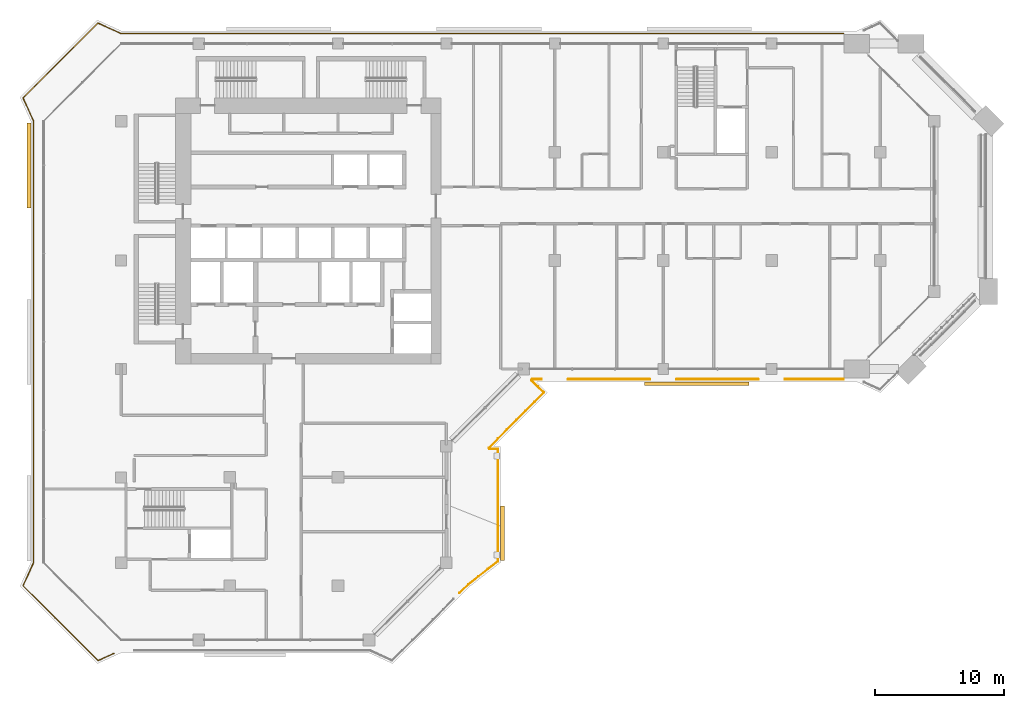
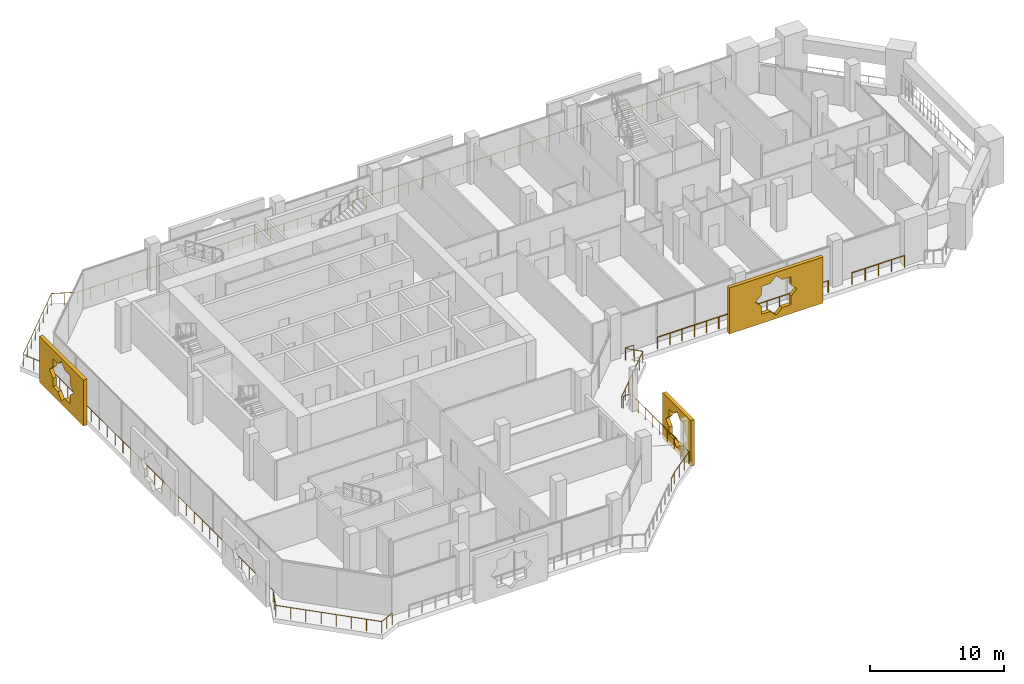
# One storey, part 18 of 21: 5 railings, 3 coverings.
"""IFC4 building model written with IfcOpenShell, lengths in metres."""

from ifc_helpers import new_model, si_unit, direction, frame, origin, origin_2d, place, context, subcontext, project, spatial, polyline, circle, outline, extrude, material, material_profile, profile_set, type_object, element, save


model = new_model("IFC4")

# Units and contexts
model_context = context("Model", 3, precision=1e-05, world=origin(), true_north=direction((0.0, 1.0)))
body_context = subcontext(model_context, "Body", "Model", "MODEL_VIEW")
ifc_project = project(units=[si_unit("LENGTHUNIT", "METRE"), si_unit("AREAUNIT", "SQUARE_METRE"), si_unit("VOLUMEUNIT", "CUBIC_METRE"), si_unit("PLANEANGLEUNIT", "RADIAN"), si_unit("MASSUNIT", "GRAM", prefix="KILO")], contexts=[model_context])

# Site, building, storey
site_placement = place(None, origin())
site = spatial("IfcSite", under=ifc_project, at=site_placement, CompositionType="ELEMENT")
building_placement = place(site_placement, origin())
building = spatial("IfcBuilding", under=site, at=building_placement, Name="Kawkab Arch Medical Tower", CompositionType="ELEMENT")
storey_placement = place(building_placement, frame((0.0, 0.0, 230.60009765625)))
storey = spatial("IfcBuildingStorey", under=building, at=storey_placement, Name="L53", CompositionType="ELEMENT", Elevation=230.60009765625)

# Railings
ifc_material_1 = material(Name="Bronze anodised aluminium guard", Category="aluminium")
railing_type = type_object("IfcRailingType", Name="Loggia and terrace guard 1100", PredefinedType="GUARDRAIL", material=ifc_material_1)
railing_1_placement = place(storey_placement, frame((55.969970703125, -26.0, 0.0)))
element("IfcRailing", 1, at=railing_1_placement, inside=storey, type_object=railing_type, Name="Guard L53.LOG-01.1.2", PredefinedType="GUARDRAIL", context=body_context, shape_type="SweptSolid", body=[
    extrude(circle(Radius=0.02392578125, at=origin_2d()), frame((0.0, 0.0, 1.076171875), z_axis=(-1.0, 0.0, 0.0), x_axis=(0.0, -1.0, 0.0)), (0.0, 0.0, 1.0), 4.5400390625),
    extrude(circle(Radius=0.02099609375, at=origin_2d()), origin(), (0.0, 0.0, 1.0), 1.052001953125),
    extrude(circle(Radius=0.02099609375, at=origin_2d()), frame((-1.135009765625, 0.0, 0.0)), (0.0, 0.0, 1.0), 1.052001953125),
    extrude(circle(Radius=0.02099609375, at=origin_2d()), frame((-2.27001953125, 0.0, 0.0)), (0.0, 0.0, 1.0), 1.052001953125),
    extrude(circle(Radius=0.02099609375, at=origin_2d()), frame((-3.405029296875, 0.0, 0.0)), (0.0, 0.0, 1.0), 1.052001953125),
    extrude(circle(Radius=0.02099609375, at=origin_2d()), frame((-4.5400390625, 0.0, 0.0)), (0.0, 0.0, 1.0), 1.052001953125),
])
for number, where, name in (
    (2, (49.3701171875, -26.0, 0.0), "Guard L53.LOG-01.1.3"),
    (3, (40.969970703125, -26.0, 0.0), "Guard L53.LOG-01.1.4"),
):
    element("IfcRailing", number, at=place(storey_placement, frame(where)), inside=storey, type_object=railing_type, Name=name, PredefinedType="GUARDRAIL", context=body_context, shape_type="SweptSolid", body=[
        extrude(circle(Radius=0.02392578125, at=origin_2d()), frame((0.0, 0.0, 1.076171875), z_axis=(-1.0, 0.0, 0.0), x_axis=(0.0, -1.0, 0.0)), (0.0, 0.0, 1.0), 6.340087890625),
        extrude(circle(Radius=0.02099609375, at=origin_2d()), origin(), (0.0, 0.0, 1.0), 1.052001953125),
        extrude(circle(Radius=0.02099609375, at=origin_2d()), frame((-1.056640625, 0.0, 0.0)), (0.0, 0.0, 1.0), 1.052001953125),
        extrude(circle(Radius=0.02099609375, at=origin_2d()), frame((-2.11328125, 0.0, 0.0)), (0.0, 0.0, 1.0), 1.052001953125),
        extrude(circle(Radius=0.02099609375, at=origin_2d()), frame((-3.169921875, 0.0, 0.0)), (0.0, 0.0, 1.0), 1.052001953125),
        extrude(circle(Radius=0.02099609375, at=origin_2d()), frame((-4.226806640625, 0.0, 0.0)), (0.0, 0.0, 1.0), 1.052001953125),
        extrude(circle(Radius=0.02099609375, at=origin_2d()), frame((-5.283447265625, 0.0, 0.0)), (0.0, 0.0, 1.0), 1.052001953125),
        extrude(circle(Radius=0.02099609375, at=origin_2d()), frame((-6.340087890625, 0.0, 0.0)), (0.0, 0.0, 1.0), 1.052001953125),
    ])
railing_2_placement = place(storey_placement, frame((32.570068359375, -26.0, 0.0)))
element("IfcRailing", 4, at=railing_2_placement, inside=storey, type_object=railing_type, Name="Guard L53.LOG-01.1.5", PredefinedType="GUARDRAIL", context=body_context, shape_type="SweptSolid", body=[
    extrude(circle(Radius=0.02392578125, at=origin_2d()), frame((0.0, 0.0, 1.076171875), z_axis=(-1.0, 0.0, 0.0), x_axis=(0.0, -1.0, 0.0)), (0.0, 0.0, 1.0), 0.719970703125),
    extrude(circle(Radius=0.02392578125, at=origin_2d()), frame((-0.719970703125, 0.0, 1.076171875), z_axis=(-0.383763674343, -0.923431341387, 0.0), x_axis=(0.923431341387, -0.383763674343, 0.0)), (0.0, 0.0, 1.0), 0.101806640625),
    extrude(circle(Radius=0.02392578125, at=origin_2d()), frame((-0.759033203125, -0.093994140625, 1.076171875), z_axis=(0.707015335112, -0.707198215437, 0.0), x_axis=(0.707198215437, 0.707015335112, 0.0)), (0.0, 0.0, 1.0), 1.3349609375),
    extrude(circle(Radius=0.02392578125, at=origin_2d()), frame((0.184814453125, -1.0380859375, 1.076171875), z_axis=(-0.707025867263, -0.707187685852, 0.0), x_axis=(0.707187685852, -0.707025867263, 0.0)), (0.0, 0.0, 1.0), 6.034912109375),
    extrude(circle(Radius=0.02392578125, at=origin_2d()), frame((-4.08203125, -5.305908203125, 1.076171875), z_axis=(0.383763674343, -0.923431341387, 0.0), x_axis=(0.923431341387, 0.383763674343, 0.0)), (0.0, 0.0, 1.0), 0.101806640625),
    extrude(circle(Radius=0.02392578125, at=origin_2d()), frame((-4.04296875, -5.39990234375, 1.076171875), z_axis=(1.0, 0.0, 0.0), x_axis=(0.0, 1.0, 0.0)), (0.0, 0.0, 1.0), 0.6728515625),
    extrude(circle(Radius=0.02392578125, at=origin_2d()), frame((-3.3701171875, -5.39990234375, 1.076171875), z_axis=(0.0, -1.0, 0.0), x_axis=(1.0, 0.0, 0.0)), (0.0, 0.0, 1.0), 8.7021484375),
    extrude(circle(Radius=0.02392578125, at=origin_2d()), frame((-3.3701171875, -14.10205078125, 1.076171875), z_axis=(-0.789193964876, -0.614144026922, 0.0), x_axis=(0.614144026922, -0.789193964876, 0.0)), (0.0, 0.0, 1.0), 2.907958984375),
    extrude(circle(Radius=0.02392578125, at=origin_2d()), frame((-5.6650390625, -15.887939453125, 1.076171875), z_axis=(-0.707106781187, -0.707106781187, 0.0), x_axis=(0.707106781187, -0.707106781187, 0.0)), (0.0, 0.0, 1.0), 0.95458984375),
    extrude(circle(Radius=0.02099609375, at=origin_2d()), origin(), (0.0, 0.0, 1.0), 1.052001953125),
    extrude(circle(Radius=0.02099609375, at=origin_2d()), frame((-0.719970703125, 0.0, 0.0)), (0.0, 0.0, 1.0), 1.052001953125),
    extrude(circle(Radius=0.02099609375, at=origin_2d()), frame((-0.759033203125, -0.093994140625, 0.0)), (0.0, 0.0, 1.0), 1.052001953125),
    extrude(circle(Radius=0.02099609375, at=origin_2d()), frame((-0.287109375, -0.56591796875, 0.0)), (0.0, 0.0, 1.0), 1.052001953125),
    extrude(circle(Radius=0.02099609375, at=origin_2d()), frame((0.184814453125, -1.0380859375, 0.0)), (0.0, 0.0, 1.0), 1.052001953125),
    extrude(circle(Radius=0.02099609375, at=origin_2d()), frame((-0.5263671875, -1.74951171875, 0.0)), (0.0, 0.0, 1.0), 1.052001953125),
    extrude(circle(Radius=0.02099609375, at=origin_2d()), frame((-1.237548828125, -2.460693359375, 0.0)), (0.0, 0.0, 1.0), 1.052001953125),
    extrude(circle(Radius=0.02099609375, at=origin_2d()), frame((-1.94873046875, -3.171875, 0.0)), (0.0, 0.0, 1.0), 1.052001953125),
    extrude(circle(Radius=0.02099609375, at=origin_2d()), frame((-2.65966796875, -3.88330078125, 0.0)), (0.0, 0.0, 1.0), 1.052001953125),
    extrude(circle(Radius=0.02099609375, at=origin_2d()), frame((-3.370849609375, -4.5947265625, 0.0)), (0.0, 0.0, 1.0), 1.052001953125),
    extrude(circle(Radius=0.02099609375, at=origin_2d()), frame((-4.08203125, -5.305908203125, 0.0)), (0.0, 0.0, 1.0), 1.052001953125),
    extrude(circle(Radius=0.02099609375, at=origin_2d()), frame((-4.04296875, -5.39990234375, 0.0)), (0.0, 0.0, 1.0), 1.052001953125),
    extrude(circle(Radius=0.02099609375, at=origin_2d()), frame((-3.3701171875, -5.39990234375, 0.0)), (0.0, 0.0, 1.0), 1.052001953125),
    extrude(circle(Radius=0.02099609375, at=origin_2d()), frame((-3.3701171875, -6.48779296875, 0.0)), (0.0, 0.0, 1.0), 1.052001953125),
    extrude(circle(Radius=0.02099609375, at=origin_2d()), frame((-3.3701171875, -7.575439453125, 0.0)), (0.0, 0.0, 1.0), 1.052001953125),
    extrude(circle(Radius=0.02099609375, at=origin_2d()), frame((-3.3701171875, -8.6630859375, 0.0)), (0.0, 0.0, 1.0), 1.052001953125),
    extrude(circle(Radius=0.02099609375, at=origin_2d()), frame((-3.3701171875, -9.7509765625, 0.0)), (0.0, 0.0, 1.0), 1.052001953125),
    extrude(circle(Radius=0.02099609375, at=origin_2d()), frame((-3.3701171875, -10.8388671875, 0.0)), (0.0, 0.0, 1.0), 1.052001953125),
    extrude(circle(Radius=0.02099609375, at=origin_2d()), frame((-3.3701171875, -11.926513671875, 0.0)), (0.0, 0.0, 1.0), 1.052001953125),
    extrude(circle(Radius=0.02099609375, at=origin_2d()), frame((-3.3701171875, -13.01416015625, 0.0)), (0.0, 0.0, 1.0), 1.052001953125),
    extrude(circle(Radius=0.02099609375, at=origin_2d()), frame((-3.3701171875, -14.10205078125, 0.0)), (0.0, 0.0, 1.0), 1.052001953125),
    extrude(circle(Radius=0.02099609375, at=origin_2d()), frame((-4.135009765625, -14.697265625, 0.0)), (0.0, 0.0, 1.0), 1.052001953125),
    extrude(circle(Radius=0.02099609375, at=origin_2d()), frame((-4.900146484375, -15.292724609375, 0.0)), (0.0, 0.0, 1.0), 1.052001953125),
    extrude(circle(Radius=0.02099609375, at=origin_2d()), frame((-5.6650390625, -15.887939453125, 0.0)), (0.0, 0.0, 1.0), 1.052001953125),
    extrude(circle(Radius=0.02099609375, at=origin_2d()), frame((-6.340087890625, -16.56298828125, 0.0)), (0.0, 0.0, 1.0), 1.052001953125),
])
railing_3_placement = place(storey_placement, frame((-0.548095703125, -47.22998046875, 0.0)))
element("IfcRailing", 5, at=railing_3_placement, inside=storey, type_object=railing_type, Name="Guard L53.LOG-01.1.7", PredefinedType="GUARDRAIL", context=body_context, shape_type="SweptSolid", body=[
    extrude(circle(Radius=0.02392578125, at=origin_2d()), frame((0.0, 0.0, 1.076171875), z_axis=(-0.909987760209, -0.4146351122, 0.0), x_axis=(0.4146351122, -0.909987760209, 0.0)), (0.0, 0.0, 1.0), 1.3701171875),
    extrude(circle(Radius=0.02392578125, at=origin_2d()), frame((-1.246826171875, -0.568115234375, 1.076171875), z_axis=(-0.707106781187, 0.707106781187, 0.0), x_axis=(-0.707106781187, -0.707106781187, 0.0)), (0.0, 0.0, 1.0), 8.20654296875),
    extrude(circle(Radius=0.02392578125, at=origin_2d()), frame((-7.0498046875, 5.23486328125, 1.076171875), z_axis=(0.414404752076, 0.910092688388, 0.0), x_axis=(-0.910092688388, 0.414404752076, 0.0)), (0.0, 0.0, 1.0), 1.92529296875),
    extrude(circle(Radius=0.02392578125, at=origin_2d()), frame((-6.251953125, 6.987060546875, 1.076171875), z_axis=(0.0, 1.0, 0.0), x_axis=(-1.0, 0.0, 0.0)), (0.0, 0.0, 1.0), 34.285888671875),
    extrude(circle(Radius=0.02392578125, at=origin_2d()), frame((-6.251953125, 41.27294921875, 1.076171875), z_axis=(-0.414452581809, 0.910070907914, 0.0), x_axis=(-0.910070907914, -0.414452581809, 0.0)), (0.0, 0.0, 1.0), 1.925048828125),
    extrude(circle(Radius=0.02392578125, at=origin_2d()), frame((-7.0498046875, 43.02490234375, 1.076171875), z_axis=(0.707106781187, 0.707106781187, 0.0), x_axis=(-0.707106781187, 0.707106781187, 0.0)), (0.0, 0.0, 1.0), 8.20654296875),
    extrude(circle(Radius=0.02392578125, at=origin_2d()), frame((-1.246826171875, 48.827880859375, 1.076171875), z_axis=(0.910070907914, -0.414452581809, 0.0), x_axis=(0.414452581809, 0.910070907914, 0.0)), (0.0, 0.0, 1.0), 1.925048828125),
    extrude(circle(Radius=0.02392578125, at=origin_2d()), frame((0.505126953125, 48.030029296875, 1.076171875), z_axis=(1.0, 0.0, 0.0), x_axis=(0.0, 1.0, 0.0)), (0.0, 0.0, 1.0), 56.012939453125),
    extrude(circle(Radius=0.02099609375, at=origin_2d()), origin(), (0.0, 0.0, 1.0), 1.052001953125),
    extrude(circle(Radius=0.02099609375, at=origin_2d()), frame((-0.62353515625, -0.2841796875, 0.0)), (0.0, 0.0, 1.0), 1.052001953125),
    extrude(circle(Radius=0.02099609375, at=origin_2d()), frame((-1.246826171875, -0.568115234375, 0.0)), (0.0, 0.0, 1.0), 1.052001953125),
    extrude(circle(Radius=0.02099609375, at=origin_2d()), frame((-2.075927734375, 0.260986328125, 0.0)), (0.0, 0.0, 1.0), 1.052001953125),
    extrude(circle(Radius=0.02099609375, at=origin_2d()), frame((-2.90478515625, 1.08984375, 0.0)), (0.0, 0.0, 1.0), 1.052001953125),
    extrude(circle(Radius=0.02099609375, at=origin_2d()), frame((-3.73388671875, 1.9189453125, 0.0)), (0.0, 0.0, 1.0), 1.052001953125),
    extrude(circle(Radius=0.02099609375, at=origin_2d()), frame((-4.562744140625, 2.747802734375, 0.0)), (0.0, 0.0, 1.0), 1.052001953125),
    extrude(circle(Radius=0.02099609375, at=origin_2d()), frame((-5.391845703125, 3.576904296875, 0.0)), (0.0, 0.0, 1.0), 1.052001953125),
    extrude(circle(Radius=0.02099609375, at=origin_2d()), frame((-6.220703125, 4.40576171875, 0.0)), (0.0, 0.0, 1.0), 1.052001953125),
    extrude(circle(Radius=0.02099609375, at=origin_2d()), frame((-7.0498046875, 5.23486328125, 0.0)), (0.0, 0.0, 1.0), 1.052001953125),
    extrude(circle(Radius=0.02099609375, at=origin_2d()), frame((-6.65087890625, 6.11083984375, 0.0)), (0.0, 0.0, 1.0), 1.052001953125),
    extrude(circle(Radius=0.02099609375, at=origin_2d()), frame((-6.251953125, 6.987060546875, 0.0)), (0.0, 0.0, 1.0), 1.052001953125),
    extrude(circle(Radius=0.02099609375, at=origin_2d()), frame((-6.251953125, 8.16943359375, 0.0)), (0.0, 0.0, 1.0), 1.052001953125),
    extrude(circle(Radius=0.02099609375, at=origin_2d()), frame((-6.251953125, 9.3515625, 0.0)), (0.0, 0.0, 1.0), 1.052001953125),
    extrude(circle(Radius=0.02099609375, at=origin_2d()), frame((-6.251953125, 10.533935546875, 0.0)), (0.0, 0.0, 1.0), 1.052001953125),
    extrude(circle(Radius=0.02099609375, at=origin_2d()), frame((-6.251953125, 11.716064453125, 0.0)), (0.0, 0.0, 1.0), 1.052001953125),
    extrude(circle(Radius=0.02099609375, at=origin_2d()), frame((-6.251953125, 12.8984375, 0.0)), (0.0, 0.0, 1.0), 1.052001953125),
    extrude(circle(Radius=0.02099609375, at=origin_2d()), frame((-6.251953125, 14.080810546875, 0.0)), (0.0, 0.0, 1.0), 1.052001953125),
    extrude(circle(Radius=0.02099609375, at=origin_2d()), frame((-6.251953125, 15.262939453125, 0.0)), (0.0, 0.0, 1.0), 1.052001953125),
    extrude(circle(Radius=0.02099609375, at=origin_2d()), frame((-6.251953125, 16.4453125, 0.0)), (0.0, 0.0, 1.0), 1.052001953125),
    extrude(circle(Radius=0.02099609375, at=origin_2d()), frame((-6.251953125, 17.62744140625, 0.0)), (0.0, 0.0, 1.0), 1.052001953125),
    extrude(circle(Radius=0.02099609375, at=origin_2d()), frame((-6.251953125, 18.809814453125, 0.0)), (0.0, 0.0, 1.0), 1.052001953125),
    extrude(circle(Radius=0.02099609375, at=origin_2d()), frame((-6.251953125, 19.991943359375, 0.0)), (0.0, 0.0, 1.0), 1.052001953125),
    extrude(circle(Radius=0.02099609375, at=origin_2d()), frame((-6.251953125, 21.17431640625, 0.0)), (0.0, 0.0, 1.0), 1.052001953125),
    extrude(circle(Radius=0.02099609375, at=origin_2d()), frame((-6.251953125, 22.356689453125, 0.0)), (0.0, 0.0, 1.0), 1.052001953125),
    extrude(circle(Radius=0.02099609375, at=origin_2d()), frame((-6.251953125, 23.538818359375, 0.0)), (0.0, 0.0, 1.0), 1.052001953125),
    extrude(circle(Radius=0.02099609375, at=origin_2d()), frame((-6.251953125, 24.72119140625, 0.0)), (0.0, 0.0, 1.0), 1.052001953125),
    extrude(circle(Radius=0.02099609375, at=origin_2d()), frame((-6.251953125, 25.9033203125, 0.0)), (0.0, 0.0, 1.0), 1.052001953125),
    extrude(circle(Radius=0.02099609375, at=origin_2d()), frame((-6.251953125, 27.085693359375, 0.0)), (0.0, 0.0, 1.0), 1.052001953125),
    extrude(circle(Radius=0.02099609375, at=origin_2d()), frame((-6.251953125, 28.26806640625, 0.0)), (0.0, 0.0, 1.0), 1.052001953125),
    extrude(circle(Radius=0.02099609375, at=origin_2d()), frame((-6.251953125, 29.4501953125, 0.0)), (0.0, 0.0, 1.0), 1.052001953125),
    extrude(circle(Radius=0.02099609375, at=origin_2d()), frame((-6.251953125, 30.632568359375, 0.0)), (0.0, 0.0, 1.0), 1.052001953125),
    extrude(circle(Radius=0.02099609375, at=origin_2d()), frame((-6.251953125, 31.814697265625, 0.0)), (0.0, 0.0, 1.0), 1.052001953125),
    extrude(circle(Radius=0.02099609375, at=origin_2d()), frame((-6.251953125, 32.9970703125, 0.0)), (0.0, 0.0, 1.0), 1.052001953125),
    extrude(circle(Radius=0.02099609375, at=origin_2d()), frame((-6.251953125, 34.17919921875, 0.0)), (0.0, 0.0, 1.0), 1.052001953125),
    extrude(circle(Radius=0.02099609375, at=origin_2d()), frame((-6.251953125, 35.361572265625, 0.0)), (0.0, 0.0, 1.0), 1.052001953125),
    extrude(circle(Radius=0.02099609375, at=origin_2d()), frame((-6.251953125, 36.5439453125, 0.0)), (0.0, 0.0, 1.0), 1.052001953125),
    extrude(circle(Radius=0.02099609375, at=origin_2d()), frame((-6.251953125, 37.72607421875, 0.0)), (0.0, 0.0, 1.0), 1.052001953125),
    extrude(circle(Radius=0.02099609375, at=origin_2d()), frame((-6.251953125, 38.908447265625, 0.0)), (0.0, 0.0, 1.0), 1.052001953125),
    extrude(circle(Radius=0.02099609375, at=origin_2d()), frame((-6.251953125, 40.090576171875, 0.0)), (0.0, 0.0, 1.0), 1.052001953125),
    extrude(circle(Radius=0.02099609375, at=origin_2d()), frame((-6.251953125, 41.27294921875, 0.0)), (0.0, 0.0, 1.0), 1.052001953125),
    extrude(circle(Radius=0.02099609375, at=origin_2d()), frame((-6.65087890625, 42.14892578125, 0.0)), (0.0, 0.0, 1.0), 1.052001953125),
    extrude(circle(Radius=0.02099609375, at=origin_2d()), frame((-7.0498046875, 43.02490234375, 0.0)), (0.0, 0.0, 1.0), 1.052001953125),
    extrude(circle(Radius=0.02099609375, at=origin_2d()), frame((-6.220703125, 43.85400390625, 0.0)), (0.0, 0.0, 1.0), 1.052001953125),
    extrude(circle(Radius=0.02099609375, at=origin_2d()), frame((-5.391845703125, 44.682861328125, 0.0)), (0.0, 0.0, 1.0), 1.052001953125),
    extrude(circle(Radius=0.02099609375, at=origin_2d()), frame((-4.562744140625, 45.511962890625, 0.0)), (0.0, 0.0, 1.0), 1.052001953125),
    extrude(circle(Radius=0.02099609375, at=origin_2d()), frame((-3.73388671875, 46.3408203125, 0.0)), (0.0, 0.0, 1.0), 1.052001953125),
    extrude(circle(Radius=0.02099609375, at=origin_2d()), frame((-2.90478515625, 47.169921875, 0.0)), (0.0, 0.0, 1.0), 1.052001953125),
    extrude(circle(Radius=0.02099609375, at=origin_2d()), frame((-2.075927734375, 47.998779296875, 0.0)), (0.0, 0.0, 1.0), 1.052001953125),
    extrude(circle(Radius=0.02099609375, at=origin_2d()), frame((-1.246826171875, 48.827880859375, 0.0)), (0.0, 0.0, 1.0), 1.052001953125),
    extrude(circle(Radius=0.02099609375, at=origin_2d()), frame((-0.370849609375, 48.428955078125, 0.0)), (0.0, 0.0, 1.0), 1.052001953125),
    extrude(circle(Radius=0.02099609375, at=origin_2d()), frame((0.505126953125, 48.030029296875, 0.0)), (0.0, 0.0, 1.0), 1.052001953125),
    extrude(circle(Radius=0.02099609375, at=origin_2d()), frame((1.69677734375, 48.030029296875, 0.0)), (0.0, 0.0, 1.0), 1.052001953125),
    extrude(circle(Radius=0.02099609375, at=origin_2d()), frame((2.888671875, 48.030029296875, 0.0)), (0.0, 0.0, 1.0), 1.052001953125),
    extrude(circle(Radius=0.02099609375, at=origin_2d()), frame((4.080322265625, 48.030029296875, 0.0)), (0.0, 0.0, 1.0), 1.052001953125),
    extrude(circle(Radius=0.02099609375, at=origin_2d()), frame((5.272216796875, 48.030029296875, 0.0)), (0.0, 0.0, 1.0), 1.052001953125),
    extrude(circle(Radius=0.02099609375, at=origin_2d()), frame((6.4638671875, 48.030029296875, 0.0)), (0.0, 0.0, 1.0), 1.052001953125),
    extrude(circle(Radius=0.02099609375, at=origin_2d()), frame((7.65576171875, 48.030029296875, 0.0)), (0.0, 0.0, 1.0), 1.052001953125),
    extrude(circle(Radius=0.02099609375, at=origin_2d()), frame((8.847412109375, 48.030029296875, 0.0)), (0.0, 0.0, 1.0), 1.052001953125),
    extrude(circle(Radius=0.02099609375, at=origin_2d()), frame((10.039306640625, 48.030029296875, 0.0)), (0.0, 0.0, 1.0), 1.052001953125),
    extrude(circle(Radius=0.02099609375, at=origin_2d()), frame((11.23095703125, 48.030029296875, 0.0)), (0.0, 0.0, 1.0), 1.052001953125),
    extrude(circle(Radius=0.02099609375, at=origin_2d()), frame((12.4228515625, 48.030029296875, 0.0)), (0.0, 0.0, 1.0), 1.052001953125),
    extrude(circle(Radius=0.02099609375, at=origin_2d()), frame((13.614501953125, 48.030029296875, 0.0)), (0.0, 0.0, 1.0), 1.052001953125),
    extrude(circle(Radius=0.02099609375, at=origin_2d()), frame((14.806396484375, 48.030029296875, 0.0)), (0.0, 0.0, 1.0), 1.052001953125),
    extrude(circle(Radius=0.02099609375, at=origin_2d()), frame((15.998046875, 48.030029296875, 0.0)), (0.0, 0.0, 1.0), 1.052001953125),
    extrude(circle(Radius=0.02099609375, at=origin_2d()), frame((17.18994140625, 48.030029296875, 0.0)), (0.0, 0.0, 1.0), 1.052001953125),
    extrude(circle(Radius=0.02099609375, at=origin_2d()), frame((18.381591796875, 48.030029296875, 0.0)), (0.0, 0.0, 1.0), 1.052001953125),
    extrude(circle(Radius=0.02099609375, at=origin_2d()), frame((19.5732421875, 48.030029296875, 0.0)), (0.0, 0.0, 1.0), 1.052001953125),
    extrude(circle(Radius=0.02099609375, at=origin_2d()), frame((20.76513671875, 48.030029296875, 0.0)), (0.0, 0.0, 1.0), 1.052001953125),
    extrude(circle(Radius=0.02099609375, at=origin_2d()), frame((21.956787109375, 48.030029296875, 0.0)), (0.0, 0.0, 1.0), 1.052001953125),
    extrude(circle(Radius=0.02099609375, at=origin_2d()), frame((23.148681640625, 48.030029296875, 0.0)), (0.0, 0.0, 1.0), 1.052001953125),
    extrude(circle(Radius=0.02099609375, at=origin_2d()), frame((24.34033203125, 48.030029296875, 0.0)), (0.0, 0.0, 1.0), 1.052001953125),
    extrude(circle(Radius=0.02099609375, at=origin_2d()), frame((25.5322265625, 48.030029296875, 0.0)), (0.0, 0.0, 1.0), 1.052001953125),
    extrude(circle(Radius=0.02099609375, at=origin_2d()), frame((26.723876953125, 48.030029296875, 0.0)), (0.0, 0.0, 1.0), 1.052001953125),
    extrude(circle(Radius=0.02099609375, at=origin_2d()), frame((27.915771484375, 48.030029296875, 0.0)), (0.0, 0.0, 1.0), 1.052001953125),
    extrude(circle(Radius=0.02099609375, at=origin_2d()), frame((29.107421875, 48.030029296875, 0.0)), (0.0, 0.0, 1.0), 1.052001953125),
    extrude(circle(Radius=0.02099609375, at=origin_2d()), frame((30.29931640625, 48.030029296875, 0.0)), (0.0, 0.0, 1.0), 1.052001953125),
    extrude(circle(Radius=0.02099609375, at=origin_2d()), frame((31.490966796875, 48.030029296875, 0.0)), (0.0, 0.0, 1.0), 1.052001953125),
    extrude(circle(Radius=0.02099609375, at=origin_2d()), frame((32.682861328125, 48.030029296875, 0.0)), (0.0, 0.0, 1.0), 1.052001953125),
    extrude(circle(Radius=0.02099609375, at=origin_2d()), frame((33.87451171875, 48.030029296875, 0.0)), (0.0, 0.0, 1.0), 1.052001953125),
    extrude(circle(Radius=0.02099609375, at=origin_2d()), frame((35.06640625, 48.030029296875, 0.0)), (0.0, 0.0, 1.0), 1.052001953125),
    extrude(circle(Radius=0.02099609375, at=origin_2d()), frame((36.258056640625, 48.030029296875, 0.0)), (0.0, 0.0, 1.0), 1.052001953125),
    extrude(circle(Radius=0.02099609375, at=origin_2d()), frame((37.449951171875, 48.030029296875, 0.0)), (0.0, 0.0, 1.0), 1.052001953125),
    extrude(circle(Radius=0.02099609375, at=origin_2d()), frame((38.6416015625, 48.030029296875, 0.0)), (0.0, 0.0, 1.0), 1.052001953125),
    extrude(circle(Radius=0.02099609375, at=origin_2d()), frame((39.833251953125, 48.030029296875, 0.0)), (0.0, 0.0, 1.0), 1.052001953125),
    extrude(circle(Radius=0.02099609375, at=origin_2d()), frame((41.025146484375, 48.030029296875, 0.0)), (0.0, 0.0, 1.0), 1.052001953125),
    extrude(circle(Radius=0.02099609375, at=origin_2d()), frame((42.216796875, 48.030029296875, 0.0)), (0.0, 0.0, 1.0), 1.052001953125),
    extrude(circle(Radius=0.02099609375, at=origin_2d()), frame((43.40869140625, 48.030029296875, 0.0)), (0.0, 0.0, 1.0), 1.052001953125),
    extrude(circle(Radius=0.02099609375, at=origin_2d()), frame((44.600341796875, 48.030029296875, 0.0)), (0.0, 0.0, 1.0), 1.052001953125),
    extrude(circle(Radius=0.02099609375, at=origin_2d()), frame((45.792236328125, 48.030029296875, 0.0)), (0.0, 0.0, 1.0), 1.052001953125),
    extrude(circle(Radius=0.02099609375, at=origin_2d()), frame((46.98388671875, 48.030029296875, 0.0)), (0.0, 0.0, 1.0), 1.052001953125),
    extrude(circle(Radius=0.02099609375, at=origin_2d()), frame((48.17578125, 48.030029296875, 0.0)), (0.0, 0.0, 1.0), 1.052001953125),
    extrude(circle(Radius=0.02099609375, at=origin_2d()), frame((49.367431640625, 48.030029296875, 0.0)), (0.0, 0.0, 1.0), 1.052001953125),
    extrude(circle(Radius=0.02099609375, at=origin_2d()), frame((50.559326171875, 48.030029296875, 0.0)), (0.0, 0.0, 1.0), 1.052001953125),
    extrude(circle(Radius=0.02099609375, at=origin_2d()), frame((51.7509765625, 48.030029296875, 0.0)), (0.0, 0.0, 1.0), 1.052001953125),
    extrude(circle(Radius=0.02099609375, at=origin_2d()), frame((52.94287109375, 48.030029296875, 0.0)), (0.0, 0.0, 1.0), 1.052001953125),
    extrude(circle(Radius=0.02099609375, at=origin_2d()), frame((54.134521484375, 48.030029296875, 0.0)), (0.0, 0.0, 1.0), 1.052001953125),
    extrude(circle(Radius=0.02099609375, at=origin_2d()), frame((55.326416015625, 48.030029296875, 0.0)), (0.0, 0.0, 1.0), 1.052001953125),
    extrude(circle(Radius=0.02099609375, at=origin_2d()), frame((56.51806640625, 48.030029296875, 0.0)), (0.0, 0.0, 1.0), 1.052001953125),
])

# Coverings
ifc_material_2 = material(Name="Bronze anodised aluminium mashrabiya panel, eight-point star pattern", Category="aluminium")
ifc_material_profile_1 = material_profile(ifc_material_2, outline(polyline([(-2.10009765625, -2.10009765625), (2.10009765625, -2.10009765625), (2.10009765625, 2.10009765625), (-2.10009765625, 2.10009765625), (-2.10009765625, -2.10009765625)]), holes=[polyline([(1.64990234375, 0.0), (1.166748046875, 0.4833984375), (1.166748046875, 1.166748046875), (0.4833984375, 1.166748046875), (0.0, 1.64990234375), (-0.4833984375, 1.166748046875), (-1.166748046875, 1.166748046875), (-1.166748046875, 0.4833984375), (-1.64990234375, 0.0), (-1.166748046875, -0.4833984375), (-1.166748046875, -1.166748046875), (-0.4833984375, -1.166748046875), (0.0, -1.64990234375), (0.4833984375, -1.166748046875), (1.166748046875, -1.166748046875), (1.166748046875, -0.4833984375), (1.64990234375, 0.0)])]), Name="Mashrabiya panel 4200x4200")
ifc_profile_set_1 = profile_set([ifc_material_profile_1], Name="Bronze anodised aluminium mashrabiya panel, eight-point star pattern")
covering_type_1 = type_object("IfcCoveringType", Name="Mashrabiya panel 4200 x 4200", PredefinedType="USERDEFINED", material=ifc_profile_set_1)
covering_1_placement = place(storey_placement, frame((29.39990234375, -37.9287109375, 1.699951171875), z_axis=(1.0, 0.0, 0.0), x_axis=(0.0, 1.0, 0.0)))
element("IfcCovering", 6, at=covering_1_placement, inside=storey, type_object=covering_type_1, Name="Mashrabiya panel L53.LOG-01-01.2", ObjectType="SCREEN", PredefinedType="USERDEFINED", context=body_context, shape_type="SweptSolid", body=[
    extrude(outline(polyline([(-2.10009765625, -2.10009765625), (2.10009765625, -2.10009765625), (2.10009765625, 2.10009765625), (-2.10009765625, 2.10009765625), (-2.10009765625, -2.10009765625)]), holes=[polyline([(1.64990234375, 0.0), (1.166748046875, 0.4833984375), (1.166748046875, 1.166748046875), (0.4833984375, 1.166748046875), (0.0, 1.64990234375), (-0.4833984375, 1.166748046875), (-1.166748046875, 1.166748046875), (-1.166748046875, 0.4833984375), (-1.64990234375, 0.0), (-1.166748046875, -0.4833984375), (-1.166748046875, -1.166748046875), (-0.4833984375, -1.166748046875), (0.0, -1.64990234375), (0.4833984375, -1.166748046875), (1.166748046875, -1.166748046875), (1.166748046875, -0.4833984375), (1.64990234375, 0.0)])]), origin(), (0.0, 0.0, 1.0), 0.300048828125),
])
ifc_material_3 = material(Name="Bronze anodised aluminium mashrabiya panel, eight-point star pattern", Category="aluminium")
ifc_material_profile_2 = material_profile(ifc_material_3, outline(polyline([(-3.300048828125, -2.10009765625), (3.300048828125, -2.10009765625), (3.300048828125, 2.10009765625), (-3.300048828125, 2.10009765625), (-3.300048828125, -2.10009765625)]), holes=[polyline([(1.800048828125, 0.0), (1.272705078125, 0.527099609375), (1.272705078125, 1.272705078125), (0.527099609375, 1.272705078125), (0.0, 1.800048828125), (-0.527099609375, 1.272705078125), (-1.272705078125, 1.272705078125), (-1.272705078125, 0.527099609375), (-1.800048828125, 0.0), (-1.272705078125, -0.527099609375), (-1.272705078125, -1.272705078125), (-0.527099609375, -1.272705078125), (0.0, -1.800048828125), (0.527099609375, -1.272705078125), (1.272705078125, -1.272705078125), (1.272705078125, -0.527099609375), (1.800048828125, 0.0)])]), Name="Mashrabiya panel 6600x4200")
ifc_profile_set_2 = profile_set([ifc_material_profile_2], Name="Bronze anodised aluminium mashrabiya panel, eight-point star pattern")
covering_type_2 = type_object("IfcCoveringType", Name="Mashrabiya panel 6600 x 4200", PredefinedType="USERDEFINED", material=ifc_profile_set_2)
covering_2_placement = place(storey_placement, frame((-7.0, -9.438232421875, 1.699951171875), z_axis=(-1.0, 0.0, 0.0), x_axis=(0.0, -1.0, 0.0)))
element("IfcCovering", 7, at=covering_2_placement, inside=storey, type_object=covering_type_2, Name="Mashrabiya panel L53.LOG-01-01.6", ObjectType="SCREEN", PredefinedType="USERDEFINED", context=body_context, shape_type="SweptSolid", body=[
    extrude(outline(polyline([(-3.300048828125, -2.10009765625), (3.300048828125, -2.10009765625), (3.300048828125, 2.10009765625), (-3.300048828125, 2.10009765625), (-3.300048828125, -2.10009765625)]), holes=[polyline([(1.800048828125, 0.0), (1.272705078125, 0.527099609375), (1.272705078125, 1.272705078125), (0.527099609375, 1.272705078125), (0.0, 1.800048828125), (-0.527099609375, 1.272705078125), (-1.272705078125, 1.272705078125), (-1.272705078125, 0.527099609375), (-1.800048828125, 0.0), (-1.272705078125, -0.527099609375), (-1.272705078125, -1.272705078125), (-0.527099609375, -1.272705078125), (0.0, -1.800048828125), (0.527099609375, -1.272705078125), (1.272705078125, -1.272705078125), (1.272705078125, -0.527099609375), (1.800048828125, 0.0)])]), origin(), (0.0, 0.0, 1.0), 0.300048828125),
])
ifc_material_4 = material(Name="Bronze anodised aluminium mashrabiya panel, eight-point star pattern", Category="aluminium")
ifc_material_profile_3 = material_profile(ifc_material_4, outline(polyline([(-4.050048828125, -2.10009765625), (4.050048828125, -2.10009765625), (4.050048828125, 2.10009765625), (-4.050048828125, 2.10009765625), (-4.050048828125, -2.10009765625)]), holes=[polyline([(1.800048828125, 0.0), (1.272705078125, 0.527099609375), (1.272705078125, 1.272705078125), (0.527099609375, 1.272705078125), (0.0, 1.800048828125), (-0.527099609375, 1.272705078125), (-1.272705078125, 1.272705078125), (-1.272705078125, 0.527099609375), (-1.800048828125, 0.0), (-1.272705078125, -0.527099609375), (-1.272705078125, -1.272705078125), (-0.527099609375, -1.272705078125), (0.0, -1.800048828125), (0.527099609375, -1.272705078125), (1.272705078125, -1.272705078125), (1.272705078125, -0.527099609375), (1.800048828125, 0.0)])]), Name="Mashrabiya panel 8100x4200")
ifc_profile_set_3 = profile_set([ifc_material_profile_3], Name="Bronze anodised aluminium mashrabiya panel, eight-point star pattern")
covering_type_3 = type_object("IfcCoveringType", Name="Mashrabiya panel 8100 x 4200", PredefinedType="USERDEFINED", material=ifc_profile_set_3)
covering_3_placement = place(storey_placement, frame((44.59228515625, -26.199951171875, 1.699951171875), z_axis=(0.0, -1.0, 0.0), x_axis=(1.0, 0.0, 0.0)))
element("IfcCovering", 8, at=covering_3_placement, inside=storey, type_object=covering_type_3, Name="Mashrabiya panel L53.LOG-01-01.1", ObjectType="SCREEN", PredefinedType="USERDEFINED", context=body_context, shape_type="SweptSolid", body=[
    extrude(outline(polyline([(-4.050048828125, -2.10009765625), (4.050048828125, -2.10009765625), (4.050048828125, 2.10009765625), (-4.050048828125, 2.10009765625), (-4.050048828125, -2.10009765625)]), holes=[polyline([(1.800048828125, 0.0), (1.272705078125, 0.527099609375), (1.272705078125, 1.272705078125), (0.527099609375, 1.272705078125), (0.0, 1.800048828125), (-0.527099609375, 1.272705078125), (-1.272705078125, 1.272705078125), (-1.272705078125, 0.527099609375), (-1.800048828125, 0.0), (-1.272705078125, -0.527099609375), (-1.272705078125, -1.272705078125), (-0.527099609375, -1.272705078125), (0.0, -1.800048828125), (0.527099609375, -1.272705078125), (1.272705078125, -1.272705078125), (1.272705078125, -0.527099609375), (1.800048828125, 0.0)])]), origin(), (0.0, 0.0, 1.0), 0.300048828125),
])

save(model, "model.ifc")
